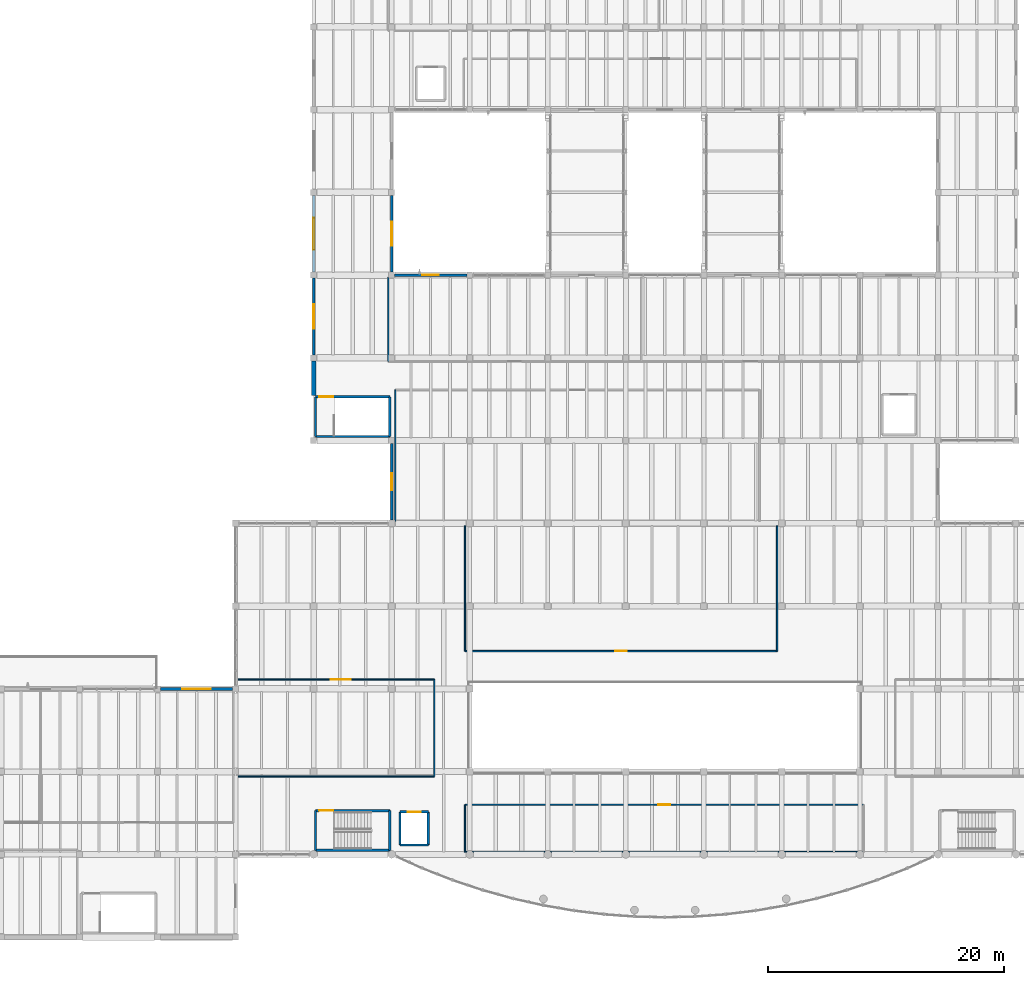
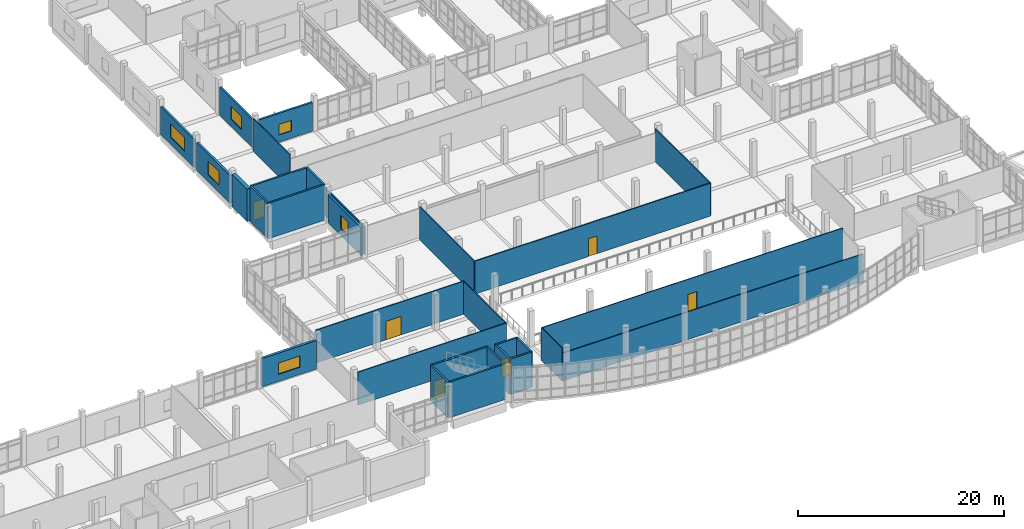
# One storey, part 48 of 65: 30 walls, 6 doors, 6 windows, 12 openings.
"""IFC4 building model written with IfcOpenShell, lengths in metres."""

from ifc_helpers import new_model, si_unit, direction, frame, frame_2d, origin, place, context, subcontext, project, spatial, rectangle, extrude, material, layer, layer_set, type_object, element, fill, save


model = new_model("IFC4")

# Units and contexts
model_context = context("Model", 3, precision=1e-05, world=origin(), true_north=direction((0.0, 1.0)))
body_context = subcontext(model_context, "Body", "Model", "MODEL_VIEW")
ifc_project = project(units=[si_unit("LENGTHUNIT", "METRE"), si_unit("AREAUNIT", "SQUARE_METRE"), si_unit("VOLUMEUNIT", "CUBIC_METRE"), si_unit("PLANEANGLEUNIT", "RADIAN"), si_unit("MASSUNIT", "GRAM", prefix="KILO")], contexts=[model_context])

# Site, building, storey
site_placement = place(None, origin())
site = spatial("IfcSite", under=ifc_project, at=site_placement, CompositionType="ELEMENT")
building_placement = place(site_placement, origin())
building = spatial("IfcBuilding", under=site, at=building_placement, Name="Ciguamira Faculty of Natural Sciences", CompositionType="ELEMENT")
storey_placement = place(building_placement, frame((0.0, 0.0, 12.60009765625)))
storey = spatial("IfcBuildingStorey", under=building, at=storey_placement, Name="L03", CompositionType="ELEMENT", Elevation=12.60009765625)

# Wall, opening, window
ifc_material_1 = material(Name="Precast concrete C40/50", Category="concrete")
ifc_layer_1 = layer(ifc_material_1, 0.280029296875, Name="Precast concrete C40/50")
ifc_layer_set_1 = layer_set([ifc_layer_1], Name="Precast concrete C40/50")
wall_type_1 = type_object("IfcWallType", Name="ExtWall_EW-01_280", PredefinedType="SOLIDWALL", material=ifc_layer_set_1)
wall_1_placement = place(storey_placement, frame((44.35009765625, 24.0, 0.0), z_axis=(0.0, 0.0, 1.0), x_axis=(1.0, 0.0, 0.0)))
wall_1 = element("IfcWall", 1, at=wall_1_placement, inside=storey, type_object=wall_type_1, Name="L03 exterior wall 0271", PredefinedType="SOLIDWALL", context=body_context, shape_type="SweptSolid", body=[
    extrude(rectangle(XDim=6.099853515625, YDim=0.280029296875, at=frame_2d((3.0498046875, 0.0))), origin(), (0.0, 0.0, 1.0), 3.364990234375),
])
opening_1_placement = place(wall_1_placement, frame((1.85009765625, 0.0, 0.85009765625)))
opening_1 = element("IfcOpeningElement", 2, at=opening_1_placement, cuts=wall_1, Name="Opening WT-07", PredefinedType="OPENING", context=body_context, shape_type="SweptSolid", body=[
    extrude(rectangle(XDim=2.39990234375, YDim=1.35009765625, at=frame_2d((1.199951171875, 0.675048828125))), frame((0.0, 0.14990234375, 0.0), z_axis=(0.0, -1.0, 0.0), x_axis=(1.0, 0.0, 0.0)), (0.0, 0.0, 1.0), 0.300048828125),
])
ifc_material_2 = material(Name="Hurricane laminated solar glass", Category="glass")
window_type_1 = type_object("IfcWindowType", Name="Window_WT-07_2400x1350", PartitioningType="DOUBLE_PANEL_VERTICAL", PredefinedType="WINDOW", material=ifc_material_2)
window_1_placement = place(opening_1_placement, origin())
window_1 = element("IfcWindow", 3, at=window_1_placement, inside=storey, type_object=window_type_1, Name="L03 facade window 0171", OverallHeight=1.35009765625, OverallWidth=2.39990234375, PartitioningType="SINGLE_PANEL", PredefinedType="WINDOW", context=body_context, shape_type="SweptSolid", body=[
    extrude(rectangle(XDim=2.39990234375, YDim=1.35009765625, at=frame_2d((1.199951171875, 0.675048828125))), frame((0.0, 0.030029296875, 0.0), z_axis=(0.0, -1.0, 0.0), x_axis=(1.0, 0.0, 0.0)), (0.0, 0.0, 1.0), 0.06005859375),
])
fill(opening_1, window_1)

ifc_layer_2 = layer(ifc_material_1, 0.219970703125, Name="Precast concrete C40/50")
ifc_layer_set_2 = layer_set([ifc_layer_2], Name="Precast concrete C40/50")
wall_type_2 = type_object("IfcWallType", Name="ExtWall_EW-03_220", PredefinedType="SOLIDWALL", material=ifc_layer_set_2)
wall_2_placement = place(storey_placement, frame((64.14990234375, 59.0, 0.0), z_axis=(0.0, 0.0, 1.0), x_axis=(1.0, 0.0, 0.0)))
wall_2 = element("IfcWall", 4, at=wall_2_placement, inside=storey, type_object=wall_type_2, Name="L03 exterior wall 0272", PredefinedType="SOLIDWALL", context=body_context, shape_type="SweptSolid", body=[
    extrude(rectangle(XDim=6.10009765625, YDim=0.219970703125, at=frame_2d((3.050048828125, 0.0))), origin(), (0.0, 0.0, 1.0), 3.40478515625),
])
opening_2_placement = place(wall_2_placement, frame((2.35009765625, 0.0, 0.85009765625)))
opening_2 = element("IfcOpeningElement", 5, at=opening_2_placement, cuts=wall_2, Name="Opening WT-15", PredefinedType="OPENING", context=body_context, shape_type="SweptSolid", body=[
    extrude(rectangle(XDim=1.39990234375, YDim=1.25, at=frame_2d((0.699951171875, 0.625))), frame((0.0, 0.119873046875, 0.0), z_axis=(0.0, -1.0, 0.0), x_axis=(1.0, 0.0, 0.0)), (0.0, 0.0, 1.0), 0.239990234375),
])
window_type_2 = type_object("IfcWindowType", Name="Window_WT-15_1400x1250", PartitioningType="DOUBLE_PANEL_VERTICAL", PredefinedType="WINDOW", material=ifc_material_2)
window_2_placement = place(opening_2_placement, origin())
window_2 = element("IfcWindow", 6, at=window_2_placement, inside=storey, type_object=window_type_2, Name="L03 facade window 0172", OverallHeight=1.25, OverallWidth=1.39990234375, PartitioningType="SINGLE_PANEL", PredefinedType="WINDOW", context=body_context, shape_type="SweptSolid", body=[
    extrude(rectangle(XDim=1.39990234375, YDim=1.25, at=frame_2d((0.699951171875, 0.625))), frame((0.0, 0.030029296875, 0.0), z_axis=(0.0, -1.0, 0.0), x_axis=(1.0, 0.0, 0.0)), (0.0, 0.0, 1.0), 0.06005859375),
])
fill(opening_2, window_2)

wall_3_placement = place(storey_placement, frame((57.300048828125, 52.25, 0.0), z_axis=(0.0, 0.0, 1.0), x_axis=(0.0, 1.0, 0.0)))
wall_3 = element("IfcWall", 7, at=wall_3_placement, inside=storey, type_object=wall_type_2, Name="L03 exterior wall 0292", PredefinedType="SOLIDWALL", context=body_context, shape_type="SweptSolid", body=[
    extrude(rectangle(XDim=6.5, YDim=0.219970703125, at=frame_2d((3.25, 0.0))), origin(), (0.0, 0.0, 1.0), 3.324951171875),
])
opening_3_placement = place(wall_3_placement, frame((2.199951171875, 0.0, 0.85009765625)))
opening_3 = element("IfcOpeningElement", 8, at=opening_3_placement, cuts=wall_3, Name="Opening WT-22", PredefinedType="OPENING", context=body_context, shape_type="SweptSolid", body=[
    extrude(rectangle(XDim=2.10009765625, YDim=1.60009765625, at=frame_2d((1.050048828125, 0.800048828125))), frame((0.0, 0.119873046875, 0.0), z_axis=(0.0, -1.0, 0.0), x_axis=(1.0, 0.0, 0.0)), (0.0, 0.0, 1.0), 0.239990234375),
])
window_type_3 = type_object("IfcWindowType", Name="Window_WT-22_2100x1600", PartitioningType="DOUBLE_PANEL_VERTICAL", PredefinedType="WINDOW", material=ifc_material_2)
window_3_placement = place(opening_3_placement, origin())
window_3 = element("IfcWindow", 9, at=window_3_placement, inside=storey, type_object=window_type_3, Name="L03 facade window 0187", OverallHeight=1.60009765625, OverallWidth=2.10009765625, PartitioningType="SINGLE_PANEL", PredefinedType="WINDOW", context=body_context, shape_type="SweptSolid", body=[
    extrude(rectangle(XDim=2.10009765625, YDim=1.60009765625, at=frame_2d((1.050048828125, 0.800048828125))), frame((0.0, 0.030029296875, 0.0), z_axis=(0.0, -1.0, 0.0), x_axis=(1.0, 0.0, 0.0)), (0.0, 0.0, 1.0), 0.06005859375),
])
fill(opening_3, window_3)

wall_4_placement = place(storey_placement, frame((57.300048828125, 59.25, 0.0), z_axis=(0.0, 0.0, 1.0), x_axis=(0.0, 1.0, 0.0)))
wall_4 = element("IfcWall", 10, at=wall_4_placement, inside=storey, type_object=wall_type_2, Name="L03 exterior wall 0293", PredefinedType="SOLIDWALL", context=body_context, shape_type="SweptSolid", body=[
    extrude(rectangle(XDim=6.5, YDim=0.219970703125, at=frame_2d((3.25, 0.0))), origin(), (0.0, 0.0, 1.0), 3.324951171875),
])
opening_4_placement = place(wall_4_placement, frame((1.89990234375, 0.0, 0.85009765625)))
opening_4 = element("IfcOpeningElement", 11, at=opening_4_placement, cuts=wall_4, Name="Opening WT-24", PredefinedType="OPENING", context=body_context, shape_type="SweptSolid", body=[
    extrude(rectangle(XDim=2.699951171875, YDim=1.60009765625, at=frame_2d((1.35009765625, 0.800048828125))), frame((0.0, 0.119873046875, 0.0), z_axis=(0.0, -1.0, 0.0), x_axis=(1.0, 0.0, 0.0)), (0.0, 0.0, 1.0), 0.239990234375),
])
window_type_4 = type_object("IfcWindowType", Name="Window_WT-24_2700x1600", PartitioningType="DOUBLE_PANEL_VERTICAL", PredefinedType="WINDOW", material=ifc_material_2)
window_4_placement = place(opening_4_placement, origin())
window_4 = element("IfcWindow", 12, at=window_4_placement, inside=storey, type_object=window_type_4, Name="L03 facade window 0188", OverallHeight=1.60009765625, OverallWidth=2.699951171875, PartitioningType="SINGLE_PANEL", PredefinedType="WINDOW", context=body_context, shape_type="SweptSolid", body=[
    extrude(rectangle(XDim=2.699951171875, YDim=1.60009765625, at=frame_2d((1.35009765625, 0.800048828125))), frame((0.0, 0.030029296875, 0.0), z_axis=(0.0, -1.0, 0.0), x_axis=(1.0, 0.0, 0.0)), (0.0, 0.0, 1.0), 0.06005859375),
])
fill(opening_4, window_4)

wall_5_placement = place(storey_placement, frame((63.89990234375, 38.27490234375, 0.0), z_axis=(0.0, 0.0, 1.0), x_axis=(0.0, 1.0, 0.0)))
wall_5 = element("IfcWall", 13, at=wall_5_placement, inside=storey, type_object=wall_type_2, Name="L03 exterior wall 0300", PredefinedType="SOLIDWALL", context=body_context, shape_type="SweptSolid", body=[
    extrude(rectangle(XDim=6.47509765625, YDim=0.219970703125, at=frame_2d((3.237548828125, 0.0))), origin(), (0.0, 0.0, 1.0), 3.324951171875),
])
opening_5_placement = place(wall_5_placement, frame((2.512451171875, 0.0, 0.85009765625)))
opening_5 = element("IfcOpeningElement", 14, at=opening_5_placement, cuts=wall_5, Name="Opening WT-38", PredefinedType="OPENING", context=body_context, shape_type="SweptSolid", body=[
    extrude(rectangle(XDim=1.449951171875, YDim=1.550048828125, at=frame_2d((0.72509765625, 0.77490234375))), frame((0.0, 0.119873046875, 0.0), z_axis=(0.0, -1.0, 0.0), x_axis=(1.0, 0.0, 0.0)), (0.0, 0.0, 1.0), 0.239990234375),
])
window_type_5 = type_object("IfcWindowType", Name="Window_WT-38_1450x1550", PartitioningType="DOUBLE_PANEL_VERTICAL", PredefinedType="WINDOW", material=ifc_material_2)
window_5_placement = place(opening_5_placement, origin())
window_5 = element("IfcWindow", 15, at=window_5_placement, inside=storey, type_object=window_type_5, Name="L03 facade window 0195", OverallHeight=1.550048828125, OverallWidth=1.449951171875, PartitioningType="SINGLE_PANEL", PredefinedType="WINDOW", context=body_context, shape_type="SweptSolid", body=[
    extrude(rectangle(XDim=1.449951171875, YDim=1.550048828125, at=frame_2d((0.72509765625, 0.77490234375))), frame((0.0, 0.030029296875, 0.0), z_axis=(0.0, -1.0, 0.0), x_axis=(1.0, 0.0, 0.0)), (0.0, 0.0, 1.0), 0.06005859375),
])
fill(opening_5, window_5)

wall_6_placement = place(storey_placement, frame((63.89990234375, 59.25, 0.0), z_axis=(0.0, 0.0, 1.0), x_axis=(0.0, 1.0, 0.0)))
wall_6 = element("IfcWall", 16, at=wall_6_placement, inside=storey, type_object=wall_type_2, Name="L03 exterior wall 0301", PredefinedType="SOLIDWALL", context=body_context, shape_type="SweptSolid", body=[
    extrude(rectangle(XDim=6.5, YDim=0.219970703125, at=frame_2d((3.25, 0.0))), origin(), (0.0, 0.0, 1.0), 3.324951171875),
])
opening_6_placement = place(wall_6_placement, frame((2.22509765625, 0.0, 0.85009765625)))
opening_6 = element("IfcOpeningElement", 17, at=opening_6_placement, cuts=wall_6, Name="Opening WT-40", PredefinedType="OPENING", context=body_context, shape_type="SweptSolid", body=[
    extrude(rectangle(XDim=2.050048828125, YDim=1.550048828125, at=frame_2d((1.02490234375, 0.77490234375))), frame((0.0, 0.119873046875, 0.0), z_axis=(0.0, -1.0, 0.0), x_axis=(1.0, 0.0, 0.0)), (0.0, 0.0, 1.0), 0.239990234375),
])
window_type_6 = type_object("IfcWindowType", Name="Window_WT-40_2050x1550", PartitioningType="DOUBLE_PANEL_VERTICAL", PredefinedType="WINDOW", material=ifc_material_2)
window_6_placement = place(opening_6_placement, origin())
window_6 = element("IfcWindow", 18, at=window_6_placement, inside=storey, type_object=window_type_6, Name="L03 facade window 0196", OverallHeight=1.550048828125, OverallWidth=2.050048828125, PartitioningType="SINGLE_PANEL", PredefinedType="WINDOW", context=body_context, shape_type="SweptSolid", body=[
    extrude(rectangle(XDim=2.050048828125, YDim=1.550048828125, at=frame_2d((1.02490234375, 0.77490234375))), frame((0.0, 0.030029296875, 0.0), z_axis=(0.0, -1.0, 0.0), x_axis=(1.0, 0.0, 0.0)), (0.0, 0.0, 1.0), 0.06005859375),
])
fill(opening_6, window_6)

# Walls
ifc_material_3 = material(Name="Concrete C40/50", Category="concrete")
ifc_layer_3 = layer(ifc_material_3, 0.39990234375, Name="Concrete C40/50")
ifc_layer_set_3 = layer_set([ifc_layer_3], Name="Concrete C40/50")
wall_type_3 = type_object("IfcWallType", Name="ExtWall_RW-02_400", PredefinedType="SHEAR", material=ifc_layer_set_3)
wall_7_placement = place(storey_placement, frame((57.300048828125, 48.81005859375, 0.0), z_axis=(0.0, 0.0, 1.0), x_axis=(0.0, 1.0, 0.0)))
element("IfcWall", 19, at=wall_7_placement, inside=storey, type_object=wall_type_3, Name="L03 exterior wall 0291", PredefinedType="SHEAR", context=body_context, shape_type="SweptSolid", body=[
    extrude(rectangle(XDim=2.93994140625, YDim=0.39990234375, at=frame_2d((1.469970703125, 0.0))), origin(), (0.0, 0.0, 1.0), 3.849853515625),
])
ifc_layer_4 = layer(ifc_material_3, 0.199951171875, Name="Concrete C40/50")
ifc_layer_set_4 = layer_set([ifc_layer_4], Name="Concrete C40/50")
wall_type_4 = type_object("IfcWallType", Name="IntWall_CW-S20_200", PredefinedType="SHEAR", material=ifc_layer_set_4)
wall_8_placement = place(storey_placement, frame((57.449951171875, 10.35009765625, 0.0), z_axis=(0.0, 0.0, 1.0), x_axis=(1.0, 0.0, 0.0)))
element("IfcWall", 20, at=wall_8_placement, inside=storey, type_object=wall_type_4, Name="L03 ST-A1 core shear wall south", PredefinedType="SHEAR", context=body_context, shape_type="SweptSolid", body=[
    extrude(rectangle(XDim=6.300048828125, YDim=0.199951171875, at=frame_2d((3.14990234375, 0.0))), origin(), (0.0, 0.0, 1.0), 4.199951171875),
])

# Wall, opening, door
wall_9_placement = place(storey_placement, frame((57.449951171875, 13.7099609375, 0.0), z_axis=(0.0, 0.0, 1.0), x_axis=(1.0, 0.0, 0.0)))
wall_9 = element("IfcWall", 21, at=wall_9_placement, inside=storey, type_object=wall_type_4, Name="L03 ST-A1 core shear wall north", PredefinedType="SHEAR", context=body_context, shape_type="SweptSolid", body=[
    extrude(rectangle(XDim=6.300048828125, YDim=0.199951171875, at=frame_2d((3.14990234375, 0.0))), origin(), (0.0, 0.0, 1.0), 4.199951171875),
])
opening_7_placement = place(wall_9_placement, frame((0.320068359375, 0.0, 0.0)))
opening_7 = element("IfcOpeningElement", 22, at=opening_7_placement, cuts=wall_9, Name="Opening ID-14", PredefinedType="OPENING", context=body_context, shape_type="SweptSolid", body=[
    extrude(rectangle(XDim=1.199951171875, YDim=2.14990234375, at=frame_2d((0.60009765625, 1.074951171875))), frame((0.0, 0.10986328125, 0.0), z_axis=(0.0, -1.0, 0.0), x_axis=(1.0, 0.0, 0.0)), (0.0, 0.0, 1.0), 0.219970703125),
])
ifc_material_4 = material(Name="Protected exit stair fire door")
door_type_1 = type_object("IfcDoorType", Name="IntDoor_ID-14_1200x2150", OperationType="NOTDEFINED", PredefinedType="DOOR", material=ifc_material_4)
door_1_placement = place(opening_7_placement, frame((1.199951171875, 0.0, 0.0), z_axis=(0.0, 0.0, 1.0), x_axis=(-1.0, 0.0, 0.0)))
door_1 = element("IfcDoor", 23, at=door_1_placement, inside=storey, type_object=door_type_1, Name="L03 ST-A1 exit stair fire door", OperationType="SINGLE_SWING_LEFT", OverallHeight=2.14990234375, OverallWidth=1.199951171875, PredefinedType="DOOR", context=body_context, shape_type="SweptSolid", body=[
    extrude(rectangle(XDim=1.199951171875, YDim=2.14990234375, at=frame_2d((0.60009765625, 1.074951171875))), frame((0.0, 0.02490234375, 0.0), z_axis=(0.0, -1.0, 0.0), x_axis=(1.0, 0.0, 0.0)), (0.0, 0.0, 1.0), 0.050048828125),
])
fill(opening_7, door_1)

# Walls
for number, where, z_axis, x_axis, name in (
    (24, (57.449951171875, 10.35009765625, 0.0), (0.0, 0.0, 1.0), (0.0, 1.0, 0.0), "L03 ST-A1 core shear wall west"),
    (25, (63.75, 10.35009765625, 0.0), (0.0, 0.0, 1.0), (0.0, 1.0, 0.0), "L03 ST-A1 core shear wall east"),
):
    element("IfcWall", number, at=place(storey_placement, frame(where, z_axis=z_axis, x_axis=x_axis)), inside=storey, type_object=wall_type_4, Name=name, PredefinedType="SHEAR", context=body_context, shape_type="SweptSolid", body=[
        extrude(rectangle(XDim=3.35986328125, YDim=0.199951171875, at=frame_2d((1.679931640625, 0.0))), origin(), (0.0, 0.0, 1.0), 4.199951171875),
    ])
wall_10_placement = place(storey_placement, frame((57.449951171875, 45.35009765625, 0.0), z_axis=(0.0, 0.0, 1.0), x_axis=(1.0, 0.0, 0.0)))
element("IfcWall", 26, at=wall_10_placement, inside=storey, type_object=wall_type_4, Name="L03 ST-W1 core shear wall south", PredefinedType="SHEAR", context=body_context, shape_type="SweptSolid", body=[
    extrude(rectangle(XDim=6.300048828125, YDim=0.199951171875, at=frame_2d((3.14990234375, 0.0))), origin(), (0.0, 0.0, 1.0), 4.199951171875),
])

# Wall, opening, door
wall_11_placement = place(storey_placement, frame((57.449951171875, 48.7099609375, 0.0), z_axis=(0.0, 0.0, 1.0), x_axis=(1.0, 0.0, 0.0)))
wall_11 = element("IfcWall", 27, at=wall_11_placement, inside=storey, type_object=wall_type_4, Name="L03 ST-W1 core shear wall north", PredefinedType="SHEAR", context=body_context, shape_type="SweptSolid", body=[
    extrude(rectangle(XDim=6.300048828125, YDim=0.199951171875, at=frame_2d((3.14990234375, 0.0))), origin(), (0.0, 0.0, 1.0), 4.199951171875),
])
opening_8_placement = place(wall_11_placement, frame((0.320068359375, 0.0, 0.0)))
opening_8 = element("IfcOpeningElement", 28, at=opening_8_placement, cuts=wall_11, Name="Opening ID-14", PredefinedType="OPENING", context=body_context, shape_type="SweptSolid", body=[
    extrude(rectangle(XDim=1.199951171875, YDim=2.14990234375, at=frame_2d((0.60009765625, 1.074951171875))), frame((0.0, 0.10986328125, 0.0), z_axis=(0.0, -1.0, 0.0), x_axis=(1.0, 0.0, 0.0)), (0.0, 0.0, 1.0), 0.219970703125),
])
door_2_placement = place(opening_8_placement, frame((1.199951171875, 0.0, 0.0), z_axis=(0.0, 0.0, 1.0), x_axis=(-1.0, 0.0, 0.0)))
door_2 = element("IfcDoor", 29, at=door_2_placement, inside=storey, type_object=door_type_1, Name="L03 ST-W1 exit stair fire door", OperationType="SINGLE_SWING_RIGHT", OverallHeight=2.14990234375, OverallWidth=1.199951171875, PredefinedType="DOOR", context=body_context, shape_type="SweptSolid", body=[
    extrude(rectangle(XDim=1.199951171875, YDim=2.14990234375, at=frame_2d((0.60009765625, 1.074951171875))), frame((0.0, 0.02490234375, 0.0), z_axis=(0.0, -1.0, 0.0), x_axis=(1.0, 0.0, 0.0)), (0.0, 0.0, 1.0), 0.050048828125),
])
fill(opening_8, door_2)

# Walls
for number, where, z_axis, x_axis, name in (
    (30, (57.449951171875, 45.35009765625, 0.0), (0.0, 0.0, 1.0), (0.0, 1.0, 0.0), "L03 ST-W1 core shear wall west"),
    (31, (63.75, 45.35009765625, 0.0), (0.0, 0.0, 1.0), (0.0, 1.0, 0.0), "L03 ST-W1 core shear wall east"),
):
    element("IfcWall", number, at=place(storey_placement, frame(where, z_axis=z_axis, x_axis=x_axis)), inside=storey, type_object=wall_type_4, Name=name, PredefinedType="SHEAR", context=body_context, shape_type="SweptSolid", body=[
        extrude(rectangle(XDim=3.35986328125, YDim=0.199951171875, at=frame_2d((1.679931640625, 0.0))), origin(), (0.0, 0.0, 1.0), 4.199951171875),
    ])
wall_12_placement = place(storey_placement, frame((64.60009765625, 10.800048828125, 0.0), z_axis=(0.0, 0.0, 1.0), x_axis=(1.0, 0.0, 0.0)))
element("IfcWall", 32, at=wall_12_placement, inside=storey, type_object=wall_type_4, Name="L03 EL-P3 hoistway wall south", PredefinedType="SHEAR", context=body_context, shape_type="SweptSolid", body=[
    extrude(rectangle(XDim=2.39990234375, YDim=0.199951171875, at=frame_2d((1.199951171875, 0.0))), origin(), (0.0, 0.0, 1.0), 4.199951171875),
])

# Wall, opening, door
wall_13_placement = place(storey_placement, frame((64.60009765625, 13.60009765625, 0.0), z_axis=(0.0, 0.0, 1.0), x_axis=(1.0, 0.0, 0.0)))
wall_13 = element("IfcWall", 33, at=wall_13_placement, inside=storey, type_object=wall_type_4, Name="L03 EL-P3 hoistway wall north", PredefinedType="SHEAR", context=body_context, shape_type="SweptSolid", body=[
    extrude(rectangle(XDim=2.39990234375, YDim=0.199951171875, at=frame_2d((1.199951171875, 0.0))), origin(), (0.0, 0.0, 1.0), 4.199951171875),
])
opening_9_placement = place(wall_13_placement, frame((0.64990234375, 0.0, 0.0)))
opening_9 = element("IfcOpeningElement", 34, at=opening_9_placement, cuts=wall_13, Name="Opening LD-01", PredefinedType="OPENING", context=body_context, shape_type="SweptSolid", body=[
    extrude(rectangle(XDim=1.10009765625, YDim=2.14990234375, at=frame_2d((0.550048828125, 1.074951171875))), frame((0.0, 0.10986328125, 0.0), z_axis=(0.0, -1.0, 0.0), x_axis=(1.0, 0.0, 0.0)), (0.0, 0.0, 1.0), 0.219970703125),
])
ifc_material_5 = material(Name="Passenger elevator sliding landing door")
door_type_2 = type_object("IfcDoorType", Name="LiftLandingDoor_LD-01_1100x2150", OperationType="SLIDING_TO_LEFT", PredefinedType="DOOR", material=ifc_material_5)
door_3_placement = place(opening_9_placement, origin())
door_3 = element("IfcDoor", 35, at=door_3_placement, inside=storey, type_object=door_type_2, Name="L03 EL-P3 elevator landing sliding door", OperationType="SLIDING_TO_LEFT", OverallHeight=2.14990234375, OverallWidth=1.10009765625, PredefinedType="DOOR", context=body_context, shape_type="SweptSolid", body=[
    extrude(rectangle(XDim=1.10009765625, YDim=2.14990234375, at=frame_2d((0.550048828125, 1.074951171875))), frame((0.0, 0.02490234375, 0.0), z_axis=(0.0, -1.0, 0.0), x_axis=(1.0, 0.0, 0.0)), (0.0, 0.0, 1.0), 0.050048828125),
])
fill(opening_9, door_3)

# Walls
for number, where, z_axis, x_axis, name in (
    (36, (64.60009765625, 10.800048828125, 0.0), (0.0, 0.0, 1.0), (0.0, 1.0, 0.0), "L03 EL-P3 hoistway wall west"),
    (37, (67.0, 10.800048828125, 0.0), (0.0, 0.0, 1.0), (0.0, 1.0, 0.0), "L03 EL-P3 hoistway wall east"),
):
    element("IfcWall", number, at=place(storey_placement, frame(where, z_axis=z_axis, x_axis=x_axis)), inside=storey, type_object=wall_type_4, Name=name, PredefinedType="SHEAR", context=body_context, shape_type="SweptSolid", body=[
        extrude(rectangle(XDim=2.800048828125, YDim=0.199951171875, at=frame_2d((1.39990234375, 0.0))), origin(), (0.0, 0.0, 1.0), 4.199951171875),
    ])
ifc_material_6 = material(Name="Fire-rated gypsum partition")
ifc_layer_5 = layer(ifc_material_6, 0.10009765625, Name="Fire-rated gypsum partition")
ifc_layer_set_5 = layer_set([ifc_layer_5], Name="Fire-rated gypsum partition")
wall_type_5 = type_object("IfcWallType", Name="IntWall_IW-A10_100", PredefinedType="PARTITIONING", material=ifc_layer_set_5)
wall_14_placement = place(storey_placement, frame((50.89990234375, 16.60009765625, 0.0), z_axis=(0.0, 0.0, 1.0), x_axis=(1.0, 0.0, 0.0)))
element("IfcWall", 38, at=wall_14_placement, inside=storey, type_object=wall_type_5, Name="L03 Tropical Climatology Exhibition Hall partition south", PredefinedType="PARTITIONING", context=body_context, shape_type="SweptSolid", body=[
    extrude(rectangle(XDim=16.60009765625, YDim=0.10009765625, at=frame_2d((8.300048828125, 0.0))), origin(), (0.0, 0.0, 1.0), 3.89990234375),
])

# Wall, opening, door
wall_15_placement = place(storey_placement, frame((50.89990234375, 24.800048828125, 0.0), z_axis=(0.0, 0.0, 1.0), x_axis=(1.0, 0.0, 0.0)))
wall_15 = element("IfcWall", 39, at=wall_15_placement, inside=storey, type_object=wall_type_5, Name="L03 Tropical Climatology Exhibition Hall partition north", PredefinedType="PARTITIONING", context=body_context, shape_type="SweptSolid", body=[
    extrude(rectangle(XDim=16.60009765625, YDim=0.10009765625, at=frame_2d((8.300048828125, 0.0))), origin(), (0.0, 0.0, 1.0), 3.89990234375),
])
opening_10_placement = place(wall_15_placement, frame((7.85009765625, 0.0, 0.0)))
opening_10 = element("IfcOpeningElement", 40, at=opening_10_placement, cuts=wall_15, Name="Opening ID-18", PredefinedType="OPENING", context=body_context, shape_type="SweptSolid", body=[
    extrude(rectangle(XDim=1.699951171875, YDim=2.199951171875, at=frame_2d((0.85009765625, 1.10009765625))), frame((0.0, 0.06005859375, 0.0), z_axis=(0.0, -1.0, 0.0), x_axis=(1.0, 0.0, 0.0)), (0.0, 0.0, 1.0), 0.1201171875),
])
ifc_material_7 = material(Name="Archive vault rated door")
door_type_3 = type_object("IfcDoorType", Name="IntDoor_ID-18_1700x2200", OperationType="NOTDEFINED", PredefinedType="DOOR", material=ifc_material_7)
door_4_placement = place(opening_10_placement, frame((1.699951171875, 0.0, 0.0), z_axis=(0.0, 0.0, 1.0), x_axis=(-1.0, 0.0, 0.0)))
door_4 = element("IfcDoor", 41, at=door_4_placement, inside=storey, type_object=door_type_3, Name="L03 Tropical Climatology Exhibition Hall door", OperationType="SINGLE_SWING_RIGHT", OverallHeight=2.199951171875, OverallWidth=1.699951171875, PredefinedType="DOOR", context=body_context, shape_type="SweptSolid", body=[
    extrude(rectangle(XDim=1.699951171875, YDim=2.199951171875, at=frame_2d((0.85009765625, 1.10009765625))), frame((0.0, 0.02490234375, 0.0), z_axis=(0.0, -1.0, 0.0), x_axis=(1.0, 0.0, 0.0)), (0.0, 0.0, 1.0), 0.050048828125),
])
fill(opening_10, door_4)

# Walls
wall_16_placement = place(storey_placement, frame((67.5, 16.60009765625, 0.0), z_axis=(0.0, 0.0, 1.0), x_axis=(0.0, 1.0, 0.0)))
element("IfcWall", 42, at=wall_16_placement, inside=storey, type_object=wall_type_5, Name="L03 Tropical Climatology Exhibition Hall partition east", PredefinedType="PARTITIONING", context=body_context, shape_type="SweptSolid", body=[
    extrude(rectangle(XDim=8.199951171875, YDim=0.10009765625, at=frame_2d((4.10009765625, 0.0))), origin(), (0.0, 0.0, 1.0), 3.89990234375),
])
wall_17_placement = place(storey_placement, frame((70.10009765625, 10.199951171875, 0.0), z_axis=(0.0, 0.0, 1.0), x_axis=(1.0, 0.0, 0.0)))
element("IfcWall", 43, at=wall_17_placement, inside=storey, type_object=wall_type_5, Name="L03 L03 South Promenade Study Gallery partition south", PredefinedType="PARTITIONING", context=body_context, shape_type="SweptSolid", body=[
    extrude(rectangle(XDim=33.699951171875, YDim=0.10009765625, at=frame_2d((16.85009765625, 0.0))), origin(), (0.0, 0.0, 1.0), 3.284912109375),
])

# Wall, opening, door
wall_18_placement = place(storey_placement, frame((70.10009765625, 14.199951171875, 0.0), z_axis=(0.0, 0.0, 1.0), x_axis=(1.0, 0.0, 0.0)))
wall_18 = element("IfcWall", 44, at=wall_18_placement, inside=storey, type_object=wall_type_5, Name="L03 L03 South Promenade Study Gallery partition north", PredefinedType="PARTITIONING", context=body_context, shape_type="SweptSolid", body=[
    extrude(rectangle(XDim=33.699951171875, YDim=0.10009765625, at=frame_2d((16.85009765625, 0.0))), origin(), (0.0, 0.0, 1.0), 3.89990234375),
])
opening_11_placement = place(wall_18_placement, frame((16.35009765625, 0.0, 0.0)))
opening_11 = element("IfcOpeningElement", 45, at=opening_11_placement, cuts=wall_18, Name="Opening ID-03", PredefinedType="OPENING", context=body_context, shape_type="SweptSolid", body=[
    extrude(rectangle(XDim=1.0, YDim=2.10009765625, at=frame_2d((0.5, 1.050048828125))), frame((0.0, 0.06005859375, 0.0), z_axis=(0.0, -1.0, 0.0), x_axis=(1.0, 0.0, 0.0)), (0.0, 0.0, 1.0), 0.1201171875),
])
ifc_material_8 = material(Name="Restroom lobby fire door")
door_type_4 = type_object("IfcDoorType", Name="IntDoor_ID-03_1000x2100", OperationType="NOTDEFINED", PredefinedType="DOOR", material=ifc_material_8)
door_5_placement = place(opening_11_placement, frame((1.0, 0.0, 0.0), z_axis=(0.0, 0.0, 1.0), x_axis=(-1.0, 0.0, 0.0)))
door_5 = element("IfcDoor", 46, at=door_5_placement, inside=storey, type_object=door_type_4, Name="L03 L03 South Promenade Study Gallery door", OperationType="SINGLE_SWING_LEFT", OverallHeight=2.10009765625, OverallWidth=1.0, PredefinedType="DOOR", context=body_context, shape_type="SweptSolid", body=[
    extrude(rectangle(XDim=1.0, YDim=2.10009765625, at=frame_2d((0.5, 1.050048828125))), frame((0.0, 0.02490234375, 0.0), z_axis=(0.0, -1.0, 0.0), x_axis=(1.0, 0.0, 0.0)), (0.0, 0.0, 1.0), 0.050048828125),
])
fill(opening_11, door_5)

# Walls
wall_19_placement = place(storey_placement, frame((70.10009765625, 10.199951171875, 0.0), z_axis=(0.0, 0.0, 1.0), x_axis=(0.0, 1.0, 0.0)))
element("IfcWall", 47, at=wall_19_placement, inside=storey, type_object=wall_type_5, Name="L03 L03 South Promenade Study Gallery partition west", PredefinedType="PARTITIONING", context=body_context, shape_type="SweptSolid", body=[
    extrude(rectangle(XDim=4.0, YDim=0.10009765625, at=frame_2d((2.0, 0.0))), origin(), (0.0, 0.0, 1.0), 3.89990234375),
])
wall_20_placement = place(storey_placement, frame((63.60009765625, 51.699951171875, 0.0), z_axis=(0.0, 0.0, 1.0), x_axis=(0.0, 1.0, 0.0)))
element("IfcWall", 48, at=wall_20_placement, inside=storey, type_object=wall_type_5, Name="L03 North-Light Botany Research Studio partition west", PredefinedType="PARTITIONING", context=body_context, shape_type="SweptSolid", body=[
    extrude(rectangle(XDim=7.10009765625, YDim=0.10009765625, at=frame_2d((3.550048828125, 0.0))), origin(), (0.0, 0.0, 1.0), 3.89990234375),
])

# Wall, opening, door
ifc_material_9 = material(Name="Acoustic double-stud gypsum partition")
ifc_layer_6 = layer(ifc_material_9, 0.1201171875, Name="Acoustic double-stud gypsum partition")
ifc_layer_set_6 = layer_set([ifc_layer_6], Name="Acoustic double-stud gypsum partition")
wall_type_6 = type_object("IfcWallType", Name="IntWall_IW-A12_120", PredefinedType="PARTITIONING", material=ifc_layer_set_6)
wall_21_placement = place(storey_placement, frame((70.10009765625, 27.199951171875, 0.0), z_axis=(0.0, 0.0, 1.0), x_axis=(1.0, 0.0, 0.0)))
wall_21 = element("IfcWall", 49, at=wall_21_placement, inside=storey, type_object=wall_type_6, Name="L03 Honours Tutorial Seminar Room C partition south", PredefinedType="PARTITIONING", context=body_context, shape_type="SweptSolid", body=[
    extrude(rectangle(XDim=26.39990234375, YDim=0.1201171875, at=frame_2d((13.199951171875, 0.0))), origin(), (0.0, 0.0, 1.0), 3.89990234375),
])
opening_12_placement = place(wall_21_placement, frame((12.72509765625, 0.0, 0.0)))
opening_12 = element("IfcOpeningElement", 50, at=opening_12_placement, cuts=wall_21, Name="Opening ID-02", PredefinedType="OPENING", context=body_context, shape_type="SweptSolid", body=[
    extrude(rectangle(XDim=0.949951171875, YDim=2.10009765625, at=frame_2d((0.47509765625, 1.050048828125))), frame((0.0, 0.070068359375, 0.0), z_axis=(0.0, -1.0, 0.0), x_axis=(1.0, 0.0, 0.0)), (0.0, 0.0, 1.0), 0.14013671875),
])
ifc_material_10 = material(Name="Accessible WC outward-clear door")
door_type_5 = type_object("IfcDoorType", Name="IntDoor_ID-02_950x2100", OperationType="NOTDEFINED", PredefinedType="DOOR", material=ifc_material_10)
door_6_placement = place(opening_12_placement, origin())
door_6 = element("IfcDoor", 51, at=door_6_placement, inside=storey, type_object=door_type_5, Name="L03 Honours Tutorial Seminar Room C door", OperationType="SINGLE_SWING_RIGHT", OverallHeight=2.10009765625, OverallWidth=0.949951171875, PredefinedType="DOOR", context=body_context, shape_type="SweptSolid", body=[
    extrude(rectangle(XDim=0.949951171875, YDim=2.10009765625, at=frame_2d((0.47509765625, 1.050048828125))), frame((0.0, 0.02490234375, 0.0), z_axis=(0.0, -1.0, 0.0), x_axis=(1.0, 0.0, 0.0)), (0.0, 0.0, 1.0), 0.050048828125),
])
fill(opening_12, door_6)

# Walls
for number, where, z_axis, x_axis, name in (
    (52, (70.10009765625, 27.199951171875, 0.0), (0.0, 0.0, 1.0), (0.0, 1.0, 0.0), "L03 Honours Tutorial Seminar Room C partition west"),
    (53, (96.5, 27.199951171875, 0.0), (0.0, 0.0, 1.0), (0.0, 1.0, 0.0), "L03 Honours Tutorial Seminar Room C partition east"),
):
    element("IfcWall", number, at=place(storey_placement, frame(where, z_axis=z_axis, x_axis=x_axis)), inside=storey, type_object=wall_type_6, Name=name, PredefinedType="PARTITIONING", context=body_context, shape_type="SweptSolid", body=[
        extrude(rectangle(XDim=10.60009765625, YDim=0.1201171875, at=frame_2d((5.300048828125, 0.0))), origin(), (0.0, 0.0, 1.0), 3.89990234375),
    ])
wall_22_placement = place(storey_placement, frame((64.199951171875, 38.199951171875, 0.0), z_axis=(0.0, 0.0, 1.0), x_axis=(0.0, 1.0, 0.0)))
element("IfcWall", 54, at=wall_22_placement, inside=storey, type_object=wall_type_6, Name="L03 L03 South Lab Seminar Room partition west", PredefinedType="PARTITIONING", context=body_context, shape_type="SweptSolid", body=[
    extrude(rectangle(XDim=11.10009765625, YDim=0.1201171875, at=frame_2d((5.550048828125, 0.0))), origin(), (0.0, 0.0, 1.0), 3.324951171875),
])

save(model, "model.ifc")
